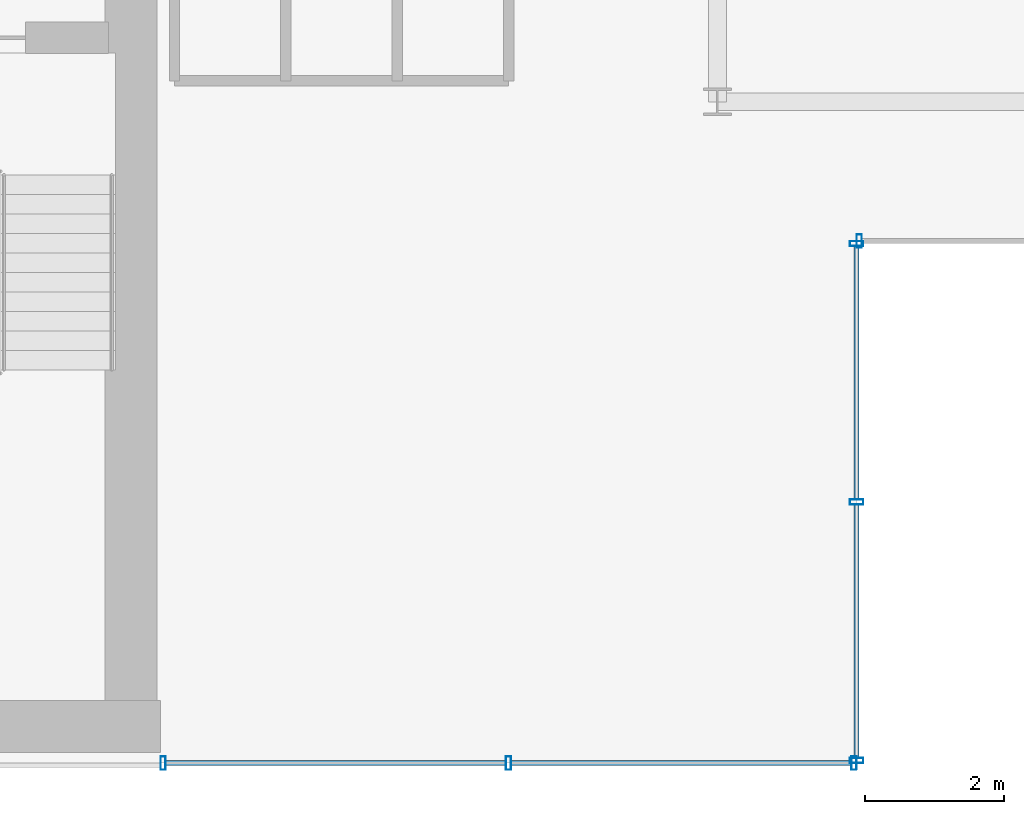
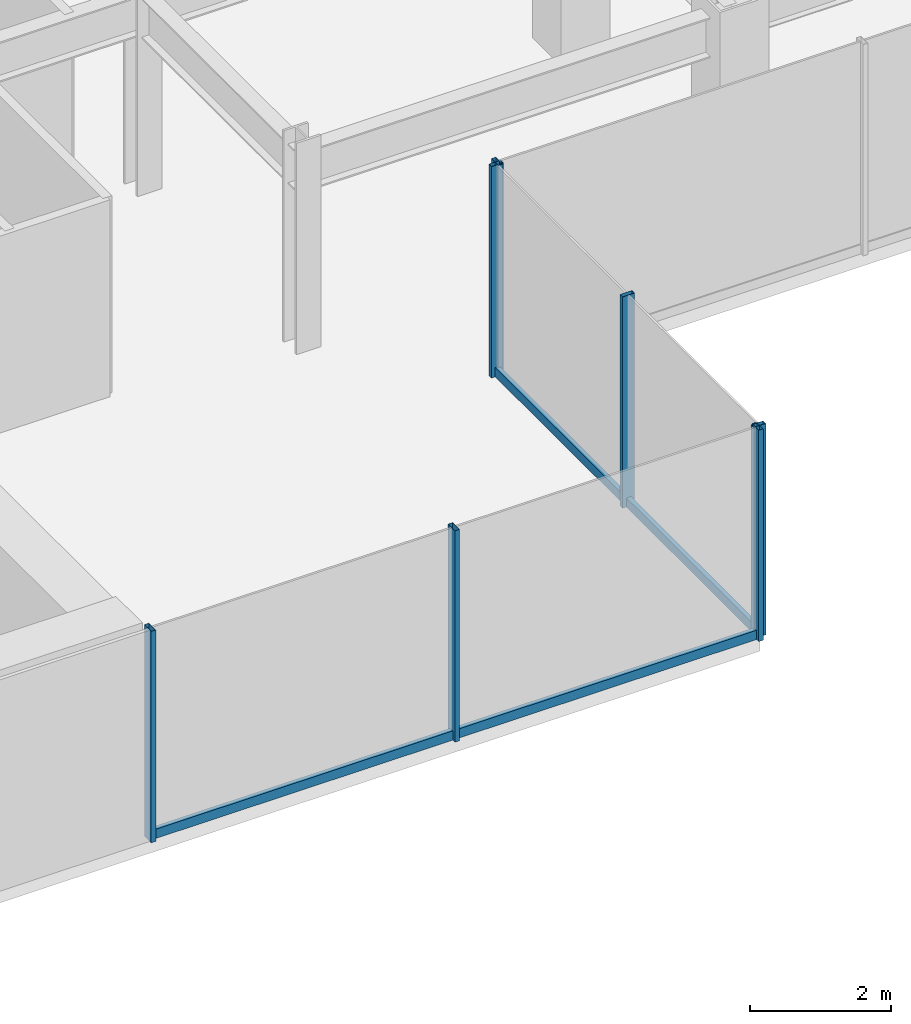
# One storey, part 8 of 26: 11 members, 3 elements without a shape of their own.
"""IFC4 building model written with IfcOpenShell, lengths in metres."""

from ifc_helpers import new_model, si_unit, derived_unit, direction, frame, origin, origin_2d, place, context, subcontext, project, spatial, hollow_rectangle, extrude, source, transform, mapped, material, material_profile, profile_set, type_object, element, aggregate, save


model = new_model("IFC4")

# Units and contexts
model_context = context("Model", 3, precision=1e-05, world=origin(), true_north=direction((0.0, 1.0)))
body_context = subcontext(model_context, "Body", "Model", "MODEL_VIEW")
ifc_project = project(units=[si_unit("LENGTHUNIT", "METRE"), si_unit("AREAUNIT", "SQUARE_METRE"), si_unit("VOLUMEUNIT", "CUBIC_METRE"), si_unit("PLANEANGLEUNIT", "RADIAN"), si_unit("MASSUNIT", "GRAM", prefix="KILO"), derived_unit("THERMALTRANSMITTANCEUNIT", [(si_unit("POWERUNIT", "WATT"), 1), (si_unit("LENGTHUNIT", "METRE"), -2), (si_unit("THERMODYNAMICTEMPERATUREUNIT", "KELVIN"), -1)])], contexts=[model_context])

# Site, building, storey
site_placement = place(None, origin())
site = spatial("IfcSite", under=ifc_project, at=site_placement, CompositionType="ELEMENT")
building_placement = place(site_placement, origin())
building = spatial("IfcBuilding", under=site, at=building_placement, Name="Skarnbrae Concourse Arena and Tower", CompositionType="ELEMENT")
storey_placement = place(building_placement, frame((0.0, 0.0, 114.199951171875)))
storey = spatial("IfcBuildingStorey", under=building, at=storey_placement, Name="L28", CompositionType="ELEMENT", Elevation=114.199951171875)

# Curtain wall, members
ifc_material = material(Name="Bronze anodised aluminium 6063-T6", Category="aluminium")
curtain_wall_type = type_object("IfcCurtainWallType", Name="CW-SYS-04-MIDZONE", PredefinedType="USERDEFINED", material=ifc_material)
curtain_wall_1_placement = place(storey_placement, origin())
curtain_wall_1 = element("IfcCurtainWall", 1, at=curtain_wall_1_placement, inside=storey, type_object=curtain_wall_type, Name="L28 Unitised curtain wall CW-L28-SE-SPINE", ObjectType="UNITISED CURTAIN WALL", PredefinedType="USERDEFINED")
ifc_material_profile_1 = material_profile(ifc_material, hollow_rectangle(XDim=0.074951171875, YDim=0.195068359375, WallThickness=0.00439453125, at=origin_2d()), Name="ALU-MULL-75X195")
ifc_profile_set_1 = profile_set([ifc_material_profile_1], Name="Bronze anodised aluminium 6063-T6")
member_type_1 = type_object("IfcMemberType", Name="CWM-CW-04", PredefinedType="MULLION", material=ifc_profile_set_1)
shared_shape_1 = source(origin(), body_context, "Body", "SweptSolid", [
    extrude(hollow_rectangle(XDim=0.074951171875, YDim=0.195068359375, WallThickness=0.00439453125, at=origin_2d()), origin(), (0.0, 0.0, 1.0), 3.650146484375),
])
member_1_placement = place(storey_placement, frame((34.03759765625, 0.0, 0.0), z_axis=(0.0, 0.0, 1.0), x_axis=(1.0, 0.0, 0.0)))
member_1 = element("IfcMember", 2, at=member_1_placement, type_object=member_type_1, Name="CW-L28-SE-SPINE Mullion 1", PredefinedType="MULLION", context=body_context, shape_type="MappedRepresentation", body=[
    mapped(shared_shape_1, transform((0.0, 0.0, 0.0))),
])
member_2_placement = place(storey_placement, frame((39.0, 0.0, 0.0), z_axis=(0.0, 0.0, 1.0), x_axis=(1.0, 0.0, 0.0)))
member_2 = element("IfcMember", 3, at=member_2_placement, type_object=member_type_1, Name="CW-L28-SE-SPINE Mullion 2", PredefinedType="MULLION", context=body_context, shape_type="MappedRepresentation", body=[
    mapped(shared_shape_1, transform((0.0, 0.0, 0.0))),
])
member_3_placement = place(storey_placement, frame((43.96240234375, 0.0, 0.0), z_axis=(0.0, 0.0, 1.0), x_axis=(1.0, 0.0, 0.0)))
member_3 = element("IfcMember", 4, at=member_3_placement, type_object=member_type_1, Name="CW-L28-SE-SPINE Mullion 3", PredefinedType="MULLION", context=body_context, shape_type="MappedRepresentation", body=[
    mapped(shared_shape_1, transform((0.0, 0.0, 0.0))),
])

curtain_wall_2_placement = place(storey_placement, origin())
curtain_wall_2 = element("IfcCurtainWall", 5, at=curtain_wall_2_placement, inside=storey, type_object=curtain_wall_type, Name="L28 Unitised curtain wall CW-L28-E02", ObjectType="UNITISED CURTAIN WALL", PredefinedType="USERDEFINED")
member_4_placement = place(storey_placement, frame((44.0, 0.03759765625, 0.0), z_axis=(0.0, 0.0, 1.0), x_axis=(0.0, 1.0, 0.0)))
member_4 = element("IfcMember", 6, at=member_4_placement, type_object=member_type_1, Name="CW-L28-E02 Mullion 1", PredefinedType="MULLION", context=body_context, shape_type="MappedRepresentation", body=[
    mapped(shared_shape_1, transform((0.0, 0.0, 0.0))),
])
member_5_placement = place(storey_placement, frame((44.0, 3.75, 0.0), z_axis=(0.0, 0.0, 1.0), x_axis=(0.0, 1.0, 0.0)))
member_5 = element("IfcMember", 7, at=member_5_placement, type_object=member_type_1, Name="CW-L28-E02 Mullion 2", PredefinedType="MULLION", context=body_context, shape_type="MappedRepresentation", body=[
    mapped(shared_shape_1, transform((0.0, 0.0, 0.0))),
])
member_6_placement = place(storey_placement, frame((44.0, 7.46240234375, 0.0), z_axis=(0.0, 0.0, 1.0), x_axis=(0.0, 1.0, 0.0)))
member_6 = element("IfcMember", 8, at=member_6_placement, type_object=member_type_1, Name="CW-L28-E02 Mullion 3", PredefinedType="MULLION", context=body_context, shape_type="MappedRepresentation", body=[
    mapped(shared_shape_1, transform((0.0, 0.0, 0.0))),
])

# Curtain wall, member
curtain_wall_3_placement = place(storey_placement, origin())
curtain_wall_3 = element("IfcCurtainWall", 9, at=curtain_wall_3_placement, inside=storey, type_object=curtain_wall_type, Name="L28 Unitised curtain wall CW-L28-E03", ObjectType="UNITISED CURTAIN WALL", PredefinedType="USERDEFINED")
member_7_placement = place(storey_placement, frame((44.03759765625, 7.5, 0.0), z_axis=(0.0, 0.0, 1.0), x_axis=(1.0, 0.0, 0.0)))
member_7 = element("IfcMember", 10, at=member_7_placement, type_object=member_type_1, Name="CW-L28-E03 Mullion 1", PredefinedType="MULLION", context=body_context, shape_type="MappedRepresentation", body=[
    mapped(shared_shape_1, transform((0.0, 0.0, 0.0))),
])
aggregate(curtain_wall_3, [member_7])

# Member
ifc_material_profile_2 = material_profile(ifc_material, hollow_rectangle(XDim=0.074951171875, YDim=0.159912109375, WallThickness=0.00439453125, at=origin_2d()), Name="ALU-TRAN-75X160")
ifc_profile_set_2 = profile_set([ifc_material_profile_2], Name="Bronze anodised aluminium 6063-T6")
member_type_2 = type_object("IfcMemberType", Name="CWT-CW-04", PredefinedType="USERDEFINED", material=ifc_profile_set_2)
shared_shape_2 = source(origin(), body_context, "Body", "SweptSolid", [
    extrude(hollow_rectangle(XDim=0.074951171875, YDim=0.159912109375, WallThickness=0.00439453125, at=origin_2d()), origin(), (0.0, 0.0, 1.0), 4.887451171875),
])
member_8_placement = place(storey_placement, frame((34.074951171875, 0.0, 0.080078125), z_axis=(1.0, 0.0, 0.0), x_axis=(0.0, 1.0, 0.0)))
member_8 = element("IfcMember", 11, at=member_8_placement, type_object=member_type_2, Name="CW-L28-SE-SPINE Transom 1", ObjectType="TRANSOM", PredefinedType="USERDEFINED", context=body_context, shape_type="MappedRepresentation", body=[
    mapped(shared_shape_2, transform((0.0, 0.0, 0.0))),
])

member_9_placement = place(storey_placement, frame((39.03759765625, 0.0, 0.080078125), z_axis=(1.0, 0.0, 0.0), x_axis=(0.0, 1.0, 0.0)))
member_9 = element("IfcMember", 12, at=member_9_placement, type_object=member_type_2, Name="CW-L28-SE-SPINE Transom 2", ObjectType="TRANSOM", PredefinedType="USERDEFINED", context=body_context, shape_type="MappedRepresentation", body=[
    mapped(shared_shape_2, transform((0.0, 0.0, 0.0))),
])

aggregate(curtain_wall_1, [member_1, member_2, member_3, member_8, member_9])

shared_shape_3 = source(origin(), body_context, "Body", "SweptSolid", [
    extrude(hollow_rectangle(XDim=0.074951171875, YDim=0.159912109375, WallThickness=0.00439453125, at=origin_2d()), origin(), (0.0, 0.0, 1.0), 3.637451171875),
])
member_10_placement = place(storey_placement, frame((44.0, 0.074951171875, 0.080078125), z_axis=(0.0, 1.0, 0.0), x_axis=(-1.0, 0.0, 0.0)))
member_10 = element("IfcMember", 13, at=member_10_placement, type_object=member_type_2, Name="CW-L28-E02 Transom 1", ObjectType="TRANSOM", PredefinedType="USERDEFINED", context=body_context, shape_type="MappedRepresentation", body=[
    mapped(shared_shape_3, transform((0.0, 0.0, 0.0))),
])

member_11_placement = place(storey_placement, frame((44.0, 3.78759765625, 0.080078125), z_axis=(0.0, 1.0, 0.0), x_axis=(-1.0, 0.0, 0.0)))
member_11 = element("IfcMember", 14, at=member_11_placement, type_object=member_type_2, Name="CW-L28-E02 Transom 2", ObjectType="TRANSOM", PredefinedType="USERDEFINED", context=body_context, shape_type="MappedRepresentation", body=[
    mapped(shared_shape_3, transform((0.0, 0.0, 0.0))),
])

aggregate(curtain_wall_2, [member_4, member_5, member_6, member_10, member_11])

save(model, "model.ifc")
